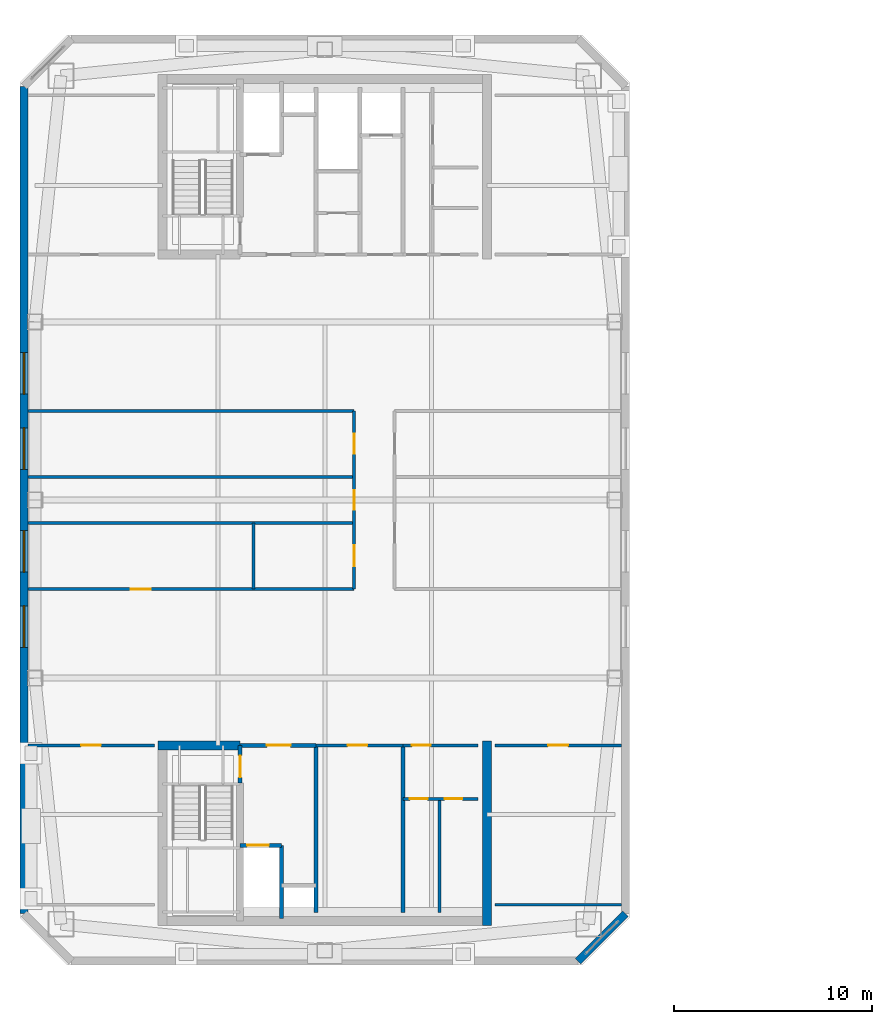
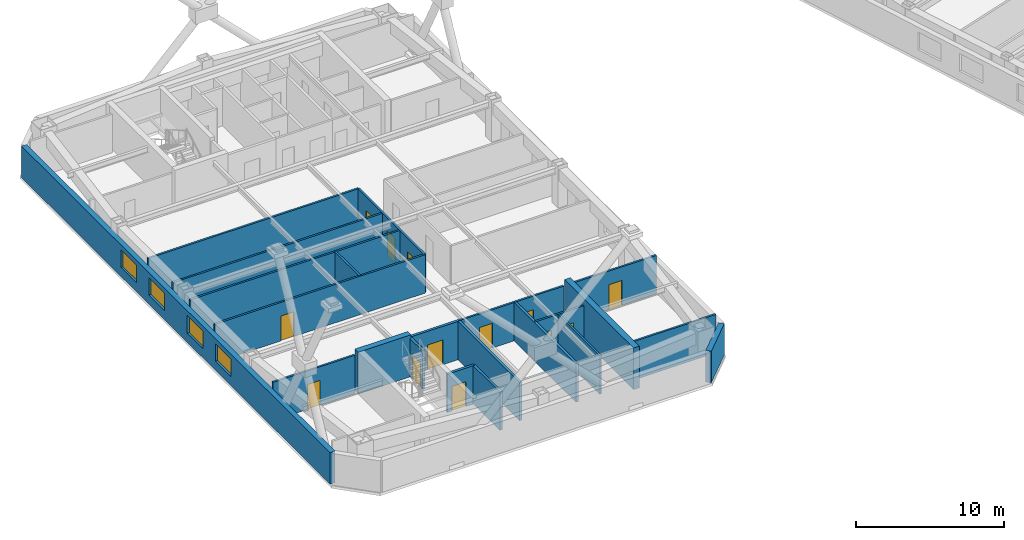
# One storey, part 13 of 20: 23 walls, 13 doors, 4 windows, 17 openings.
"""IFC4 building model written with IfcOpenShell, lengths in metres."""

from ifc_helpers import new_model, si_unit, direction, frame, frame_2d, origin, place, context, subcontext, project, spatial, rectangle, extrude, material, layer, layer_set, type_object, element, fill, save


model = new_model("IFC4")

# Units and contexts
model_context = context("Model", 3, precision=1e-05, world=origin(), true_north=direction((0.0, 1.0)))
body_context = subcontext(model_context, "Body", "Model", "MODEL_VIEW")
ifc_project = project(units=[si_unit("LENGTHUNIT", "METRE"), si_unit("AREAUNIT", "SQUARE_METRE"), si_unit("VOLUMEUNIT", "CUBIC_METRE"), si_unit("PLANEANGLEUNIT", "RADIAN"), si_unit("MASSUNIT", "GRAM", prefix="KILO")], contexts=[model_context])

# Site, building, storey
site_placement = place(None, origin())
site = spatial("IfcSite", under=ifc_project, at=site_placement, CompositionType="ELEMENT")
building_placement = place(site_placement, origin())
building = spatial("IfcBuilding", under=site, at=building_placement, Name="Qiaolan Cultural Towers", CompositionType="ELEMENT")
storey_placement = place(building_placement, frame((0.0, 0.0, 223.10009765625)))
storey = spatial("IfcBuildingStorey", under=building, at=storey_placement, Name="L60", CompositionType="ELEMENT", Elevation=223.10009765625)

# Walls
ifc_material_1 = material(Name="Concrete C50", Category="concrete")
ifc_layer_1 = layer(ifc_material_1, 0.449951171875)
ifc_layer_set_1 = layer_set([ifc_layer_1], Name="Concrete C50")
wall_type_1 = type_object("IfcWallType", Name="WL-CORE-450", PredefinedType="SHEAR", material=ifc_layer_set_1)
wall_1_placement = place(storey_placement, frame((38.199951171875, 21.824951171875, 0.0), z_axis=(0.0, 0.0, 1.0), x_axis=(0.0, -1.0, 0.0)))
element("IfcWall", 1, at=wall_1_placement, inside=storey, type_object=wall_type_1, Name="L60 T1-CS East Core Shear Wall", PredefinedType="SHEAR", context=body_context, shape_type="SweptSolid", body=[
    extrude(rectangle(XDim=9.329833984375, YDim=0.449951171875, at=frame_2d((4.6650390625, 0.0))), origin(), (0.0, 0.0, 1.0), 3.449951171875),
])
wall_2_placement = place(storey_placement, frame((21.574951171875, 21.60009765625, 0.0), z_axis=(0.0, 0.0, 1.0), x_axis=(1.0, 0.0, 0.0)))
element("IfcWall", 2, at=wall_2_placement, inside=storey, type_object=wall_type_1, Name="L60 T1-CS Stair Front Shear Wall", PredefinedType="SHEAR", context=body_context, shape_type="SweptSolid", body=[
    extrude(rectangle(XDim=4.14501953125, YDim=0.449951171875, at=frame_2d((2.072509765625, 0.0))), origin(), (0.0, 0.0, 1.0), 3.449951171875),
])

# Wall, openings, windows
ifc_material_2 = material(Name="Precast Concrete C50 Honed Stone Pier", Category="masonry")
ifc_layer_2 = layer(ifc_material_2, 0.39990234375)
ifc_layer_set_2 = layer_set([ifc_layer_2], Name="Precast Concrete C50 Honed Stone Pier")
wall_type_2 = type_object("IfcWallType", Name="WL-EXT-PIER-400", PredefinedType="SOLIDWALL", material=ifc_layer_set_2)
wall_3_placement = place(storey_placement, frame((14.800048828125, 13.10009765625, 0.0), z_axis=(0.0, 0.0, 1.0), x_axis=(0.0, 1.0, 0.0)))
wall_3 = element("IfcWall", 3, at=wall_3_placement, inside=storey, type_object=wall_type_2, Name="L60 West Tower Precast Pier Facade Wall F1", PredefinedType="SOLIDWALL", context=body_context, shape_type="SweptSolid", body=[
    extrude(rectangle(XDim=41.7998046875, YDim=0.39990234375, at=frame_2d((20.89990234375, 0.0))), origin(), (0.0, 0.0, 1.0), 2.60986328125),
])
opening_1_placement = place(wall_3_placement, frame((13.449951171875, 0.0, 0.75)))
opening_1 = element("IfcOpeningElement", 4, at=opening_1_placement, cuts=wall_3, Name="Opening W-05", PredefinedType="OPENING", context=body_context, shape_type="SweptSolid", body=[
    extrude(rectangle(XDim=2.10009765625, YDim=1.4599609375, at=frame_2d((1.050048828125, 0.72998046875))), frame((0.0, 0.2099609375, 0.0), z_axis=(0.0, -1.0, 0.0), x_axis=(1.0, 0.0, 0.0)), (0.0, 0.0, 1.0), 0.419921875),
])
opening_2_placement = place(wall_3_placement, frame((17.25, 0.0, 0.75)))
opening_2 = element("IfcOpeningElement", 5, at=opening_2_placement, cuts=wall_3, Name="Opening W-05", PredefinedType="OPENING", context=body_context, shape_type="SweptSolid", body=[
    extrude(rectangle(XDim=2.10009765625, YDim=1.4599609375, at=frame_2d((1.050048828125, 0.72998046875))), frame((0.0, 0.2099609375, 0.0), z_axis=(0.0, -1.0, 0.0), x_axis=(1.0, 0.0, 0.0)), (0.0, 0.0, 1.0), 0.419921875),
])
opening_3_placement = place(wall_3_placement, frame((22.449951171875, 0.0, 0.75)))
opening_3 = element("IfcOpeningElement", 6, at=opening_3_placement, cuts=wall_3, Name="Opening W-05", PredefinedType="OPENING", context=body_context, shape_type="SweptSolid", body=[
    extrude(rectangle(XDim=2.10009765625, YDim=1.4599609375, at=frame_2d((1.050048828125, 0.72998046875))), frame((0.0, 0.2099609375, 0.0), z_axis=(0.0, -1.0, 0.0), x_axis=(1.0, 0.0, 0.0)), (0.0, 0.0, 1.0), 0.419921875),
])
opening_4_placement = place(wall_3_placement, frame((26.25, 0.0, 0.75)))
opening_4 = element("IfcOpeningElement", 7, at=opening_4_placement, cuts=wall_3, Name="Opening W-05", PredefinedType="OPENING", context=body_context, shape_type="SweptSolid", body=[
    extrude(rectangle(XDim=2.10009765625, YDim=1.4599609375, at=frame_2d((1.050048828125, 0.72998046875))), frame((0.0, 0.2099609375, 0.0), z_axis=(0.0, -1.0, 0.0), x_axis=(1.0, 0.0, 0.0)), (0.0, 0.0, 1.0), 0.419921875),
])
ifc_material_3 = material(Name="Thermally Broken Aluminium Triple Low-E Glazing", Category="aluminium")
window_type = type_object("IfcWindowType", Name="WN-CHIC-2100", PartitioningType="SINGLE_PANEL", PredefinedType="WINDOW", material=ifc_material_3)
window_1_placement = place(opening_1_placement, origin())
window_1 = element("IfcWindow", 8, at=window_1_placement, inside=storey, type_object=window_type, Name="L60 T1 W Chicago Bay Window 1", OverallHeight=1.4599609375, OverallWidth=2.10009765625, PartitioningType="TRIPLE_PANEL_VERTICAL", PredefinedType="WINDOW", context=body_context, shape_type="SweptSolid", body=[
    extrude(rectangle(XDim=2.10009765625, YDim=1.4599609375, at=frame_2d((1.050048828125, 0.72998046875))), frame((0.0, 0.030029296875, 0.0), z_axis=(0.0, -1.0, 0.0), x_axis=(1.0, 0.0, 0.0)), (0.0, 0.0, 1.0), 0.06005859375),
])
fill(opening_1, window_1)
window_2_placement = place(opening_2_placement, origin())
window_2 = element("IfcWindow", 9, at=window_2_placement, inside=storey, type_object=window_type, Name="L60 T1 W Chicago Bay Window 2", OverallHeight=1.4599609375, OverallWidth=2.10009765625, PartitioningType="TRIPLE_PANEL_VERTICAL", PredefinedType="WINDOW", context=body_context, shape_type="SweptSolid", body=[
    extrude(rectangle(XDim=2.10009765625, YDim=1.4599609375, at=frame_2d((1.050048828125, 0.72998046875))), frame((0.0, 0.030029296875, 0.0), z_axis=(0.0, -1.0, 0.0), x_axis=(1.0, 0.0, 0.0)), (0.0, 0.0, 1.0), 0.06005859375),
])
fill(opening_2, window_2)
window_3_placement = place(opening_3_placement, origin())
window_3 = element("IfcWindow", 10, at=window_3_placement, inside=storey, type_object=window_type, Name="L60 T1 W Chicago Bay Window 3", OverallHeight=1.4599609375, OverallWidth=2.10009765625, PartitioningType="TRIPLE_PANEL_VERTICAL", PredefinedType="WINDOW", context=body_context, shape_type="SweptSolid", body=[
    extrude(rectangle(XDim=2.10009765625, YDim=1.4599609375, at=frame_2d((1.050048828125, 0.72998046875))), frame((0.0, 0.030029296875, 0.0), z_axis=(0.0, -1.0, 0.0), x_axis=(1.0, 0.0, 0.0)), (0.0, 0.0, 1.0), 0.06005859375),
])
fill(opening_3, window_3)
window_4_placement = place(opening_4_placement, origin())
window_4 = element("IfcWindow", 11, at=window_4_placement, inside=storey, type_object=window_type, Name="L60 T1 W Chicago Bay Window 4", OverallHeight=1.4599609375, OverallWidth=2.10009765625, PartitioningType="TRIPLE_PANEL_VERTICAL", PredefinedType="WINDOW", context=body_context, shape_type="SweptSolid", body=[
    extrude(rectangle(XDim=2.10009765625, YDim=1.4599609375, at=frame_2d((1.050048828125, 0.72998046875))), frame((0.0, 0.030029296875, 0.0), z_axis=(0.0, -1.0, 0.0), x_axis=(1.0, 0.0, 0.0)), (0.0, 0.0, 1.0), 0.06005859375),
])
fill(opening_4, window_4)

# Wall
wall_4_placement = place(storey_placement, frame((45.199951171875, 13.10009765625, 0.0), z_axis=(0.0, 0.0, 1.0), x_axis=(-0.707070815327, -0.707142745217, 0.0)))
element("IfcWall", 12, at=wall_4_placement, inside=storey, type_object=wall_type_2, Name="L60 West Tower Precast Pier Facade Wall F6", PredefinedType="SOLIDWALL", context=body_context, shape_type="SweptSolid", body=[
    extrude(rectangle(XDim=3.39404296875, YDim=0.39990234375, at=frame_2d((1.697021484375, 0.0))), origin(), (0.0, 0.0, 1.0), 2.60986328125),
])

# Wall, opening, door
ifc_material_4 = material(Name="Concrete C35 Fire Wall", Category="concrete")
ifc_layer_3 = layer(ifc_material_4, 0.199951171875)
ifc_layer_set_3 = layer_set([ifc_layer_3], Name="Concrete C35 Fire Wall")
wall_type_3 = type_object("IfcWallType", Name="WL-FIRE-200", PredefinedType="PARTITIONING", material=ifc_layer_set_3)
wall_5_placement = place(storey_placement, frame((25.719970703125, 21.60009765625, 0.0), z_axis=(0.0, 0.0, 1.0), x_axis=(0.0, -1.0, 0.0)))
wall_5 = element("IfcWall", 13, at=wall_5_placement, inside=storey, type_object=wall_type_3, Name="L60 T1-CS Smokeproof Stair Entry Wall", PredefinedType="PARTITIONING", context=body_context, shape_type="SweptSolid", body=[
    extrude(rectangle(XDim=1.900146484375, YDim=0.199951171875, at=frame_2d((0.9501953125, 0.0))), origin(), (0.0, 0.0, 1.0), 3.1748046875),
])
opening_5_placement = place(wall_5_placement, frame((0.52001953125, 0.0, 0.0)))
opening_5 = element("IfcOpeningElement", 14, at=opening_5_placement, cuts=wall_5, Name="Opening FD-04", PredefinedType="OPENING", context=body_context, shape_type="SweptSolid", body=[
    extrude(rectangle(XDim=1.10009765625, YDim=2.050048828125, at=frame_2d((0.550048828125, 1.02490234375))), frame((0.0, 0.10986328125, 0.0), z_axis=(0.0, -1.0, 0.0), x_axis=(1.0, 0.0, 0.0)), (0.0, 0.0, 1.0), 0.219970703125),
])
ifc_material_5 = material(Name="Galvanized Steel Command Fire Door", Category="steel")
door_type_1 = type_object("IfcDoorType", Name="DR-FD90-1100", OperationType="NOTDEFINED", PredefinedType="DOOR", material=ifc_material_5)
door_1_placement = place(opening_5_placement, origin())
door_1 = element("IfcDoor", 15, at=door_1_placement, inside=storey, type_object=door_type_1, Name="L60 ST-W1 Smokeproof Stair Fire Door", OperationType="SINGLE_SWING_LEFT", OverallHeight=2.050048828125, OverallWidth=1.10009765625, PredefinedType="DOOR", context=body_context, shape_type="SweptSolid", body=[
    extrude(rectangle(XDim=1.10009765625, YDim=2.050048828125, at=frame_2d((0.550048828125, 1.02490234375))), frame((0.0, 0.02490234375, 0.0), z_axis=(0.0, -1.0, 0.0), x_axis=(1.0, 0.0, 0.0)), (0.0, 0.0, 1.0), 0.050048828125),
])
fill(opening_5, door_1)

# Wall
wall_6_placement = place(storey_placement, frame((29.550048828125, 21.60009765625, 0.0), z_axis=(0.0, 0.0, 1.0), x_axis=(0.0, -1.0, 0.0)))
element("IfcWall", 16, at=wall_6_placement, inside=storey, type_object=wall_type_3, Name="L60 T1-CS Firefighting Zone Wall", PredefinedType="PARTITIONING", context=body_context, shape_type="SweptSolid", body=[
    extrude(rectangle(XDim=8.43017578125, YDim=0.199951171875, at=frame_2d((4.215087890625, 0.0))), origin(), (0.0, 0.0, 1.0), 3.1748046875),
])

# Wall, opening, door
wall_7_placement = place(storey_placement, frame((25.719970703125, 21.60009765625, 0.0), z_axis=(0.0, 0.0, 1.0), x_axis=(1.0, 0.0, 0.0)))
wall_7 = element("IfcWall", 17, at=wall_7_placement, inside=storey, type_object=wall_type_3, Name="L60 T1-CS Firefighting Lobby Front Wall", PredefinedType="PARTITIONING", context=body_context, shape_type="SweptSolid", body=[
    extrude(rectangle(XDim=3.830078125, YDim=0.199951171875, at=frame_2d((1.9150390625, 0.0))), origin(), (0.0, 0.0, 1.0), 3.1748046875),
])
opening_6_placement = place(wall_7_placement, frame((1.35009765625, 0.0, 0.0)))
opening_6 = element("IfcOpeningElement", 18, at=opening_6_placement, cuts=wall_7, Name="Opening FD-03", PredefinedType="OPENING", context=body_context, shape_type="SweptSolid", body=[
    extrude(rectangle(XDim=1.199951171875, YDim=2.050048828125, at=frame_2d((0.60009765625, 1.02490234375))), frame((0.0, 0.10986328125, 0.0), z_axis=(0.0, -1.0, 0.0), x_axis=(1.0, 0.0, 0.0)), (0.0, 0.0, 1.0), 0.219970703125),
])
ifc_material_6 = material(Name="Galvanized Steel Smokeproof Lobby Fire Door", Category="steel")
door_type_2 = type_object("IfcDoorType", Name="DR-FD90-1200", OperationType="NOTDEFINED", PredefinedType="DOOR", material=ifc_material_6)
door_2_placement = place(opening_6_placement, origin())
door_2 = element("IfcDoor", 19, at=door_2_placement, inside=storey, type_object=door_type_2, Name="L60 FFL-W1 Firefighting Lobby Fire Door", OperationType="SINGLE_SWING_LEFT", OverallHeight=2.050048828125, OverallWidth=1.199951171875, PredefinedType="DOOR", context=body_context, shape_type="SweptSolid", body=[
    extrude(rectangle(XDim=1.199951171875, YDim=2.050048828125, at=frame_2d((0.60009765625, 1.02490234375))), frame((0.0, 0.02490234375, 0.0), z_axis=(0.0, -1.0, 0.0), x_axis=(1.0, 0.0, 0.0)), (0.0, 0.0, 1.0), 0.050048828125),
])
fill(opening_6, door_2)

wall_8_placement = place(storey_placement, frame((25.719970703125, 16.550048828125, 0.0), z_axis=(0.0, 0.0, 1.0), x_axis=(1.0, 0.0, 0.0)))
wall_8 = element("IfcWall", 20, at=wall_8_placement, inside=storey, type_object=wall_type_3, Name="L60 T1-CS Firefighting Shaft Front Wall", PredefinedType="PARTITIONING", context=body_context, shape_type="SweptSolid", body=[
    extrude(rectangle(XDim=2.10009765625, YDim=0.199951171875, at=frame_2d((1.050048828125, 0.0))), origin(), (0.0, 0.0, 1.0), 3.1748046875),
])
opening_7_placement = place(wall_8_placement, frame((0.35009765625, 0.0, 0.0)))
opening_7 = element("IfcOpeningElement", 21, at=opening_7_placement, cuts=wall_8, Name="Opening LD-01", PredefinedType="OPENING", context=body_context, shape_type="SweptSolid", body=[
    extrude(rectangle(XDim=1.10009765625, YDim=2.050048828125, at=frame_2d((0.550048828125, 1.02490234375))), frame((0.0, 0.10986328125, 0.0), z_axis=(0.0, -1.0, 0.0), x_axis=(1.0, 0.0, 0.0)), (0.0, 0.0, 1.0), 0.219970703125),
])
ifc_material_7 = material(Name="Brushed Stainless Steel S30408 Centre-Parting Lift Landing Door", Category="steel")
door_type_3 = type_object("IfcDoorType", Name="DR-LIFT-1100", OperationType="NOTDEFINED", PredefinedType="DOOR", material=ifc_material_7)
door_3_placement = place(opening_7_placement, origin())
door_3 = element("IfcDoor", 22, at=door_3_placement, inside=storey, type_object=door_type_3, Name="L60 FFL-W1 Firefighting Lift Landing Door", OperationType="DOUBLE_DOOR_SLIDING", OverallHeight=2.050048828125, OverallWidth=1.10009765625, PredefinedType="DOOR", context=body_context, shape_type="SweptSolid", body=[
    extrude(rectangle(XDim=1.10009765625, YDim=2.050048828125, at=frame_2d((0.550048828125, 1.02490234375))), frame((0.0, 0.02490234375, 0.0), z_axis=(0.0, -1.0, 0.0), x_axis=(1.0, 0.0, 0.0)), (0.0, 0.0, 1.0), 0.050048828125),
])
fill(opening_7, door_3)

# Walls
wall_9_placement = place(storey_placement, frame((27.820068359375, 16.550048828125, 0.0), z_axis=(0.0, 0.0, 1.0), x_axis=(0.0, -1.0, 0.0)))
element("IfcWall", 23, at=wall_9_placement, inside=storey, type_object=wall_type_3, Name="L60 T1-CS Firefighting Hoistway East Wall", PredefinedType="PARTITIONING", context=body_context, shape_type="SweptSolid", body=[
    extrude(rectangle(XDim=3.699951171875, YDim=0.199951171875, at=frame_2d((1.85009765625, 0.0))), origin(), (0.0, 0.0, 1.0), 3.1748046875),
])
wall_10_placement = place(storey_placement, frame((33.949951171875, 21.60009765625, 0.0), z_axis=(0.0, 0.0, 1.0), x_axis=(0.0, -1.0, 0.0)))
element("IfcWall", 24, at=wall_10_placement, inside=storey, type_object=wall_type_3, Name="L60 T1-CS Lift Core East Wall", PredefinedType="PARTITIONING", context=body_context, shape_type="SweptSolid", body=[
    extrude(rectangle(XDim=8.43017578125, YDim=0.199951171875, at=frame_2d((4.215087890625, 0.0))), origin(), (0.0, 0.0, 1.0), 3.1748046875),
])

# Wall, opening, door
ifc_material_8 = material(Name="Autoclaved Aerated Concrete Block B06", Category="concrete")
ifc_layer_4 = layer(ifc_material_8, 0.14990234375)
ifc_layer_set_4 = layer_set([ifc_layer_4], Name="Autoclaved Aerated Concrete Block B06")
wall_type_4 = type_object("IfcWallType", Name="WL-PART-150", PredefinedType="PARTITIONING", material=ifc_layer_set_4)
wall_11_placement = place(storey_placement, frame((29.550048828125, 21.60009765625, 0.0), z_axis=(0.0, 0.0, 1.0), x_axis=(1.0, 0.0, 0.0)))
wall_11 = element("IfcWall", 25, at=wall_11_placement, inside=storey, type_object=wall_type_4, Name="L60 T1-CS Reclaimed Core Room Front Wall", PredefinedType="PARTITIONING", context=body_context, shape_type="SweptSolid", body=[
    extrude(rectangle(XDim=4.39990234375, YDim=0.14990234375, at=frame_2d((2.199951171875, 0.0))), origin(), (0.0, 0.0, 1.0), 3.1748046875),
])
opening_8_placement = place(wall_11_placement, frame((1.60009765625, 0.0, 0.0)))
opening_8 = element("IfcOpeningElement", 26, at=opening_8_placement, cuts=wall_11, Name="Opening ID-04", PredefinedType="OPENING", context=body_context, shape_type="SweptSolid", body=[
    extrude(rectangle(XDim=1.0, YDim=2.050048828125, at=frame_2d((0.5, 1.02490234375))), frame((0.0, 0.0849609375, 0.0), z_axis=(0.0, -1.0, 0.0), x_axis=(1.0, 0.0, 0.0)), (0.0, 0.0, 1.0), 0.169921875),
])
ifc_material_9 = material(Name="Oak Veneer Acoustic Office Door", Category="timber")
door_type_4 = type_object("IfcDoorType", Name="DR-INT-1000", OperationType="NOTDEFINED", PredefinedType="DOOR", material=ifc_material_9)
door_4_placement = place(opening_8_placement, origin())
door_4 = element("IfcDoor", 27, at=door_4_placement, inside=storey, type_object=door_type_4, Name="L60 Reclaimed Archive Room Door", OperationType="SINGLE_SWING_LEFT", OverallHeight=2.050048828125, OverallWidth=1.0, PredefinedType="DOOR", context=body_context, shape_type="SweptSolid", body=[
    extrude(rectangle(XDim=1.0, YDim=2.050048828125, at=frame_2d((0.5, 1.02490234375))), frame((0.0, 0.02490234375, 0.0), z_axis=(0.0, -1.0, 0.0), x_axis=(1.0, 0.0, 0.0)), (0.0, 0.0, 1.0), 0.050048828125),
])
fill(opening_8, door_4)

wall_12_placement = place(storey_placement, frame((33.949951171875, 21.60009765625, 0.0), z_axis=(0.0, 0.0, 1.0), x_axis=(1.0, 0.0, 0.0)))
wall_12 = element("IfcWall", 28, at=wall_12_placement, inside=storey, type_object=wall_type_4, Name="L60 T1-CS Sanitary Core Front Wall", PredefinedType="PARTITIONING", context=body_context, shape_type="SweptSolid", body=[
    extrude(rectangle(XDim=3.800048828125, YDim=0.14990234375, at=frame_2d((1.89990234375, 0.0))), origin(), (0.0, 0.0, 1.0), 3.1748046875),
])
opening_9_placement = place(wall_12_placement, frame((0.449951171875, 0.0, 0.0)))
opening_9 = element("IfcOpeningElement", 29, at=opening_9_placement, cuts=wall_12, Name="Opening ID-05", PredefinedType="OPENING", context=body_context, shape_type="SweptSolid", body=[
    extrude(rectangle(XDim=0.949951171875, YDim=2.050048828125, at=frame_2d((0.47509765625, 1.02490234375))), frame((0.0, 0.0849609375, 0.0), z_axis=(0.0, -1.0, 0.0), x_axis=(1.0, 0.0, 0.0)), (0.0, 0.0, 1.0), 0.169921875),
])
ifc_material_10 = material(Name="Fire-Rated Laminate Accessible Core Door", Category="timber")
door_type_5 = type_object("IfcDoorType", Name="DR-INT-950", OperationType="NOTDEFINED", PredefinedType="DOOR", material=ifc_material_10)
door_5_placement = place(opening_9_placement, origin())
door_5 = element("IfcDoor", 30, at=door_5_placement, inside=storey, type_object=door_type_5, Name="L60 Sanitary Vestibule Door", OperationType="SINGLE_SWING_LEFT", OverallHeight=2.050048828125, OverallWidth=0.949951171875, PredefinedType="DOOR", context=body_context, shape_type="SweptSolid", body=[
    extrude(rectangle(XDim=0.949951171875, YDim=2.050048828125, at=frame_2d((0.47509765625, 1.02490234375))), frame((0.0, 0.02490234375, 0.0), z_axis=(0.0, -1.0, 0.0), x_axis=(1.0, 0.0, 0.0)), (0.0, 0.0, 1.0), 0.050048828125),
])
fill(opening_9, door_5)

# Wall, openings, doors
wall_13_placement = place(storey_placement, frame((33.949951171875, 18.89990234375, 0.0), z_axis=(0.0, 0.0, 1.0), x_axis=(1.0, 0.0, 0.0)))
wall_13 = element("IfcWall", 31, at=wall_13_placement, inside=storey, type_object=wall_type_4, Name="L60 T1-CS Restroom Vestibule Wall", PredefinedType="PARTITIONING", context=body_context, shape_type="SweptSolid", body=[
    extrude(rectangle(XDim=3.800048828125, YDim=0.14990234375, at=frame_2d((1.89990234375, 0.0))), origin(), (0.0, 0.0, 1.0), 3.1748046875),
])
opening_10_placement = place(wall_13_placement, frame((0.35009765625, 0.0, 0.0)))
opening_10 = element("IfcOpeningElement", 32, at=opening_10_placement, cuts=wall_13, Name="Opening ID-06", PredefinedType="OPENING", context=body_context, shape_type="SweptSolid", body=[
    extrude(rectangle(XDim=0.89990234375, YDim=2.050048828125, at=frame_2d((0.449951171875, 1.02490234375))), frame((0.0, 0.0849609375, 0.0), z_axis=(0.0, -1.0, 0.0), x_axis=(1.0, 0.0, 0.0)), (0.0, 0.0, 1.0), 0.169921875),
])
opening_11_placement = place(wall_13_placement, frame((2.10009765625, 0.0, 0.0)))
opening_11 = element("IfcOpeningElement", 33, at=opening_11_placement, cuts=wall_13, Name="Opening ID-06", PredefinedType="OPENING", context=body_context, shape_type="SweptSolid", body=[
    extrude(rectangle(XDim=0.89990234375, YDim=2.050048828125, at=frame_2d((0.449951171875, 1.02490234375))), frame((0.0, 0.0849609375, 0.0), z_axis=(0.0, -1.0, 0.0), x_axis=(1.0, 0.0, 0.0)), (0.0, 0.0, 1.0), 0.169921875),
])
ifc_material_11 = material(Name="Fire-Rated Laminate Core Service Door", Category="timber")
door_type_6 = type_object("IfcDoorType", Name="DR-INT-900", OperationType="NOTDEFINED", PredefinedType="DOOR", material=ifc_material_11)
door_6_placement = place(opening_10_placement, origin())
door_6 = element("IfcDoor", 34, at=door_6_placement, inside=storey, type_object=door_type_6, Name="L60 Men Restroom Door", OperationType="SINGLE_SWING_LEFT", OverallHeight=2.050048828125, OverallWidth=0.89990234375, PredefinedType="DOOR", context=body_context, shape_type="SweptSolid", body=[
    extrude(rectangle(XDim=0.89990234375, YDim=2.050048828125, at=frame_2d((0.449951171875, 1.02490234375))), frame((0.0, 0.02490234375, 0.0), z_axis=(0.0, -1.0, 0.0), x_axis=(1.0, 0.0, 0.0)), (0.0, 0.0, 1.0), 0.050048828125),
])
fill(opening_10, door_6)
door_7_placement = place(opening_11_placement, origin())
door_7 = element("IfcDoor", 35, at=door_7_placement, inside=storey, type_object=door_type_6, Name="L60 Accessible & Women Restroom Door", OperationType="SINGLE_SWING_RIGHT", OverallHeight=2.050048828125, OverallWidth=0.89990234375, PredefinedType="DOOR", context=body_context, shape_type="SweptSolid", body=[
    extrude(rectangle(XDim=0.89990234375, YDim=2.050048828125, at=frame_2d((0.449951171875, 1.02490234375))), frame((0.0, 0.02490234375, 0.0), z_axis=(0.0, -1.0, 0.0), x_axis=(1.0, 0.0, 0.0)), (0.0, 0.0, 1.0), 0.050048828125),
])
fill(opening_11, door_7)

# Wall
wall_14_placement = place(storey_placement, frame((35.800048828125, 18.89990234375, 0.0), z_axis=(0.0, 0.0, 1.0), x_axis=(0.0, -1.0, 0.0)))
element("IfcWall", 36, at=wall_14_placement, inside=storey, type_object=wall_type_4, Name="L60 T1-CS Restroom Divider Wall", PredefinedType="PARTITIONING", context=body_context, shape_type="SweptSolid", body=[
    extrude(rectangle(XDim=5.72998046875, YDim=0.14990234375, at=frame_2d((2.864990234375, 0.0))), origin(), (0.0, 0.0, 1.0), 3.1748046875),
])

# Wall, opening, door
wall_15_placement = place(storey_placement, frame((15.0, 21.60009765625, 0.0), z_axis=(0.0, 0.0, 1.0), x_axis=(1.0, 0.0, 0.0)))
wall_15 = element("IfcWall", 37, at=wall_15_placement, inside=storey, type_object=wall_type_4, Name="L60 T1 Flank Front FLK-SW", PredefinedType="PARTITIONING", context=body_context, shape_type="SweptSolid", body=[
    extrude(rectangle(XDim=6.39990234375, YDim=0.14990234375, at=frame_2d((3.199951171875, 0.0))), origin(), (0.0, 0.0, 1.0), 3.1748046875),
])
opening_12_placement = place(wall_15_placement, frame((2.68798828125, 0.0, 0.0)))
opening_12 = element("IfcOpeningElement", 38, at=opening_12_placement, cuts=wall_15, Name="Opening ID-04", PredefinedType="OPENING", context=body_context, shape_type="SweptSolid", body=[
    extrude(rectangle(XDim=1.0, YDim=2.050048828125, at=frame_2d((0.5, 1.02490234375))), frame((0.0, 0.0849609375, 0.0), z_axis=(0.0, -1.0, 0.0), x_axis=(1.0, 0.0, 0.0)), (0.0, 0.0, 1.0), 0.169921875),
])
door_8_placement = place(opening_12_placement, origin())
door_8 = element("IfcDoor", 39, at=door_8_placement, inside=storey, type_object=door_type_4, Name="L60 T1 Corner Studio Door", OperationType="SINGLE_SWING_LEFT", OverallHeight=2.050048828125, OverallWidth=1.0, PredefinedType="DOOR", context=body_context, shape_type="SweptSolid", body=[
    extrude(rectangle(XDim=1.0, YDim=2.050048828125, at=frame_2d((0.5, 1.02490234375))), frame((0.0, 0.02490234375, 0.0), z_axis=(0.0, -1.0, 0.0), x_axis=(1.0, 0.0, 0.0)), (0.0, 0.0, 1.0), 0.050048828125),
])
fill(opening_12, door_8)

# Wall
wall_16_placement = place(storey_placement, frame((38.60009765625, 13.550048828125, 0.0), z_axis=(0.0, 0.0, 1.0), x_axis=(1.0, 0.0, 0.0)))
element("IfcWall", 40, at=wall_16_placement, inside=storey, type_object=wall_type_4, Name="L60 T1 Flank Wall FLK-SE", PredefinedType="PARTITIONING", context=body_context, shape_type="SweptSolid", body=[
    extrude(rectangle(XDim=6.39990234375, YDim=0.14990234375, at=frame_2d((3.199951171875, 0.0))), origin(), (0.0, 0.0, 1.0), 3.1748046875),
])

# Wall, opening, door
wall_17_placement = place(storey_placement, frame((38.60009765625, 21.60009765625, 0.0), z_axis=(0.0, 0.0, 1.0), x_axis=(1.0, 0.0, 0.0)))
wall_17 = element("IfcWall", 41, at=wall_17_placement, inside=storey, type_object=wall_type_4, Name="L60 T1 Flank Front FLK-SE", PredefinedType="PARTITIONING", context=body_context, shape_type="SweptSolid", body=[
    extrude(rectangle(XDim=6.39990234375, YDim=0.14990234375, at=frame_2d((3.199951171875, 0.0))), origin(), (0.0, 0.0, 1.0), 3.1748046875),
])
opening_13_placement = place(wall_17_placement, frame((2.68798828125, 0.0, 0.0)))
opening_13 = element("IfcOpeningElement", 42, at=opening_13_placement, cuts=wall_17, Name="Opening ID-04", PredefinedType="OPENING", context=body_context, shape_type="SweptSolid", body=[
    extrude(rectangle(XDim=1.0, YDim=2.050048828125, at=frame_2d((0.5, 1.02490234375))), frame((0.0, 0.0849609375, 0.0), z_axis=(0.0, -1.0, 0.0), x_axis=(1.0, 0.0, 0.0)), (0.0, 0.0, 1.0), 0.169921875),
])
door_9_placement = place(opening_13_placement, origin())
door_9 = element("IfcDoor", 43, at=door_9_placement, inside=storey, type_object=door_type_4, Name="L60 T1 Corner Studio Door", OperationType="SINGLE_SWING_LEFT", OverallHeight=2.050048828125, OverallWidth=1.0, PredefinedType="DOOR", context=body_context, shape_type="SweptSolid", body=[
    extrude(rectangle(XDim=1.0, YDim=2.050048828125, at=frame_2d((0.5, 1.02490234375))), frame((0.0, 0.02490234375, 0.0), z_axis=(0.0, -1.0, 0.0), x_axis=(1.0, 0.0, 0.0)), (0.0, 0.0, 1.0), 0.050048828125),
])
fill(opening_13, door_9)

wall_18_placement = place(storey_placement, frame((15.0, 29.5, 0.0), z_axis=(0.0, 0.0, 1.0), x_axis=(1.0, 0.0, 0.0)))
wall_18 = element("IfcWall", 44, at=wall_18_placement, inside=storey, type_object=wall_type_4, Name="L60 T1 South Foyer West Wall", PredefinedType="PARTITIONING", context=body_context, shape_type="SweptSolid", body=[
    extrude(rectangle(XDim=16.47509765625, YDim=0.14990234375, at=frame_2d((8.237548828125, 0.0))), origin(), (0.0, 0.0, 1.0), 3.1748046875),
])
opening_14_placement = place(wall_18_placement, frame((5.199951171875, 0.0, 0.0)))
opening_14 = element("IfcOpeningElement", 45, at=opening_14_placement, cuts=wall_18, Name="Opening ID-04", PredefinedType="OPENING", context=body_context, shape_type="SweptSolid", body=[
    extrude(rectangle(XDim=1.0, YDim=2.050048828125, at=frame_2d((0.5, 1.02490234375))), frame((0.0, 0.0849609375, 0.0), z_axis=(0.0, -1.0, 0.0), x_axis=(1.0, 0.0, 0.0)), (0.0, 0.0, 1.0), 0.169921875),
])
door_10_placement = place(opening_14_placement, origin())
door_10 = element("IfcDoor", 46, at=door_10_placement, inside=storey, type_object=door_type_4, Name="L60 T1 Executive Tower Office Door", OperationType="SINGLE_SWING_LEFT", OverallHeight=2.050048828125, OverallWidth=1.0, PredefinedType="DOOR", context=body_context, shape_type="SweptSolid", body=[
    extrude(rectangle(XDim=1.0, YDim=2.050048828125, at=frame_2d((0.5, 1.02490234375))), frame((0.0, 0.02490234375, 0.0), z_axis=(0.0, -1.0, 0.0), x_axis=(1.0, 0.0, 0.0)), (0.0, 0.0, 1.0), 0.050048828125),
])
fill(opening_14, door_10)

# Wall
wall_19_placement = place(storey_placement, frame((15.0, 38.5, 0.0), z_axis=(0.0, 0.0, 1.0), x_axis=(1.0, 0.0, 0.0)))
element("IfcWall", 47, at=wall_19_placement, inside=storey, type_object=wall_type_4, Name="L60 T1 North Foyer West Wall", PredefinedType="PARTITIONING", context=body_context, shape_type="SweptSolid", body=[
    extrude(rectangle(XDim=16.47509765625, YDim=0.14990234375, at=frame_2d((8.237548828125, 0.0))), origin(), (0.0, 0.0, 1.0), 3.1748046875),
])

# Wall, openings, doors
wall_20_placement = place(storey_placement, frame((31.47509765625, 29.5, 0.0), z_axis=(0.0, 0.0, 1.0), x_axis=(0.0, 1.0, 0.0)))
wall_20 = element("IfcWall", 48, at=wall_20_placement, inside=storey, type_object=wall_type_4, Name="L60 T1 Central Spine West Wall", PredefinedType="PARTITIONING", context=body_context, shape_type="SweptSolid", body=[
    extrude(rectangle(XDim=9.0, YDim=0.14990234375, at=frame_2d((4.5, 0.0))), origin(), (0.0, 0.0, 1.0), 3.1748046875),
])
opening_15_placement = place(wall_20_placement, frame((1.1650390625, 0.0, 0.0)))
opening_15 = element("IfcOpeningElement", 49, at=opening_15_placement, cuts=wall_20, Name="Opening ID-07", PredefinedType="OPENING", context=body_context, shape_type="SweptSolid", body=[
    extrude(rectangle(XDim=1.050048828125, YDim=2.050048828125, at=frame_2d((0.52490234375, 1.02490234375))), frame((0.0, 0.0849609375, 0.0), z_axis=(0.0, -1.0, 0.0), x_axis=(1.0, 0.0, 0.0)), (0.0, 0.0, 1.0), 0.169921875),
])
opening_16_placement = place(wall_20_placement, frame((4.0, 0.0, 0.0)))
opening_16 = element("IfcOpeningElement", 50, at=opening_16_placement, cuts=wall_20, Name="Opening ID-04", PredefinedType="OPENING", context=body_context, shape_type="SweptSolid", body=[
    extrude(rectangle(XDim=1.0, YDim=2.050048828125, at=frame_2d((0.5, 1.02490234375))), frame((0.0, 0.0849609375, 0.0), z_axis=(0.0, -1.0, 0.0), x_axis=(1.0, 0.0, 0.0)), (0.0, 0.0, 1.0), 0.169921875),
])
opening_17_placement = place(wall_20_placement, frame((6.8349609375, 0.0, 0.0)))
opening_17 = element("IfcOpeningElement", 51, at=opening_17_placement, cuts=wall_20, Name="Opening ID-04", PredefinedType="OPENING", context=body_context, shape_type="SweptSolid", body=[
    extrude(rectangle(XDim=1.0, YDim=2.050048828125, at=frame_2d((0.5, 1.02490234375))), frame((0.0, 0.0849609375, 0.0), z_axis=(0.0, -1.0, 0.0), x_axis=(1.0, 0.0, 0.0)), (0.0, 0.0, 1.0), 0.169921875),
])
door_11_placement = place(opening_16_placement, origin())
door_11 = element("IfcDoor", 52, at=door_11_placement, inside=storey, type_object=door_type_4, Name="L60 T1 Executive Tower Office Door", OperationType="SINGLE_SWING_RIGHT", OverallHeight=2.050048828125, OverallWidth=1.0, PredefinedType="DOOR", context=body_context, shape_type="SweptSolid", body=[
    extrude(rectangle(XDim=1.0, YDim=2.050048828125, at=frame_2d((0.5, 1.02490234375))), frame((0.0, 0.02490234375, 0.0), z_axis=(0.0, -1.0, 0.0), x_axis=(1.0, 0.0, 0.0)), (0.0, 0.0, 1.0), 0.050048828125),
])
fill(opening_16, door_11)
door_12_placement = place(opening_17_placement, origin())
door_12 = element("IfcDoor", 53, at=door_12_placement, inside=storey, type_object=door_type_4, Name="L60 T1 Director Office Door", OperationType="SINGLE_SWING_LEFT", OverallHeight=2.050048828125, OverallWidth=1.0, PredefinedType="DOOR", context=body_context, shape_type="SweptSolid", body=[
    extrude(rectangle(XDim=1.0, YDim=2.050048828125, at=frame_2d((0.5, 1.02490234375))), frame((0.0, 0.02490234375, 0.0), z_axis=(0.0, -1.0, 0.0), x_axis=(1.0, 0.0, 0.0)), (0.0, 0.0, 1.0), 0.050048828125),
])
fill(opening_17, door_12)
ifc_material_12 = material(Name="Oak Veneer Consultation Door", Category="timber")
door_type_7 = type_object("IfcDoorType", Name="DR-INT-1050", OperationType="NOTDEFINED", PredefinedType="DOOR", material=ifc_material_12)
door_13_placement = place(opening_15_placement, origin())
door_13 = element("IfcDoor", 54, at=door_13_placement, inside=storey, type_object=door_type_7, Name="L60 T1 Executive Tower Office Door", OperationType="SINGLE_SWING_RIGHT", OverallHeight=2.050048828125, OverallWidth=1.050048828125, PredefinedType="DOOR", context=body_context, shape_type="SweptSolid", body=[
    extrude(rectangle(XDim=1.050048828125, YDim=2.050048828125, at=frame_2d((0.52490234375, 1.02490234375))), frame((0.0, 0.02490234375, 0.0), z_axis=(0.0, -1.0, 0.0), x_axis=(1.0, 0.0, 0.0)), (0.0, 0.0, 1.0), 0.050048828125),
])
fill(opening_15, door_13)

# Walls
wall_21_placement = place(storey_placement, frame((26.39990234375, 29.5, 0.0), z_axis=(0.0, 0.0, 1.0), x_axis=(0.0, 1.0, 0.0)))
element("IfcWall", 55, at=wall_21_placement, inside=storey, type_object=wall_type_4, Name="L60 T1 Interior Wall", PredefinedType="PARTITIONING", context=body_context, shape_type="SweptSolid", body=[
    extrude(rectangle(XDim=3.330078125, YDim=0.14990234375, at=frame_2d((1.6650390625, 0.0))), origin(), (0.0, 0.0, 1.0), 3.1748046875),
])
for number, where, z_axis, x_axis, name in (
    (56, (15.0, 32.830078125, 0.0), (0.0, 0.0, 1.0), (1.0, 0.0, 0.0), "L60 T1 Interior Wall"),
    (57, (15.0, 35.169921875, 0.0), (0.0, 0.0, 1.0), (1.0, 0.0, 0.0), "L60 T1 Interior Wall"),
):
    element("IfcWall", number, at=place(storey_placement, frame(where, z_axis=z_axis, x_axis=x_axis)), inside=storey, type_object=wall_type_4, Name=name, PredefinedType="PARTITIONING", context=body_context, shape_type="SweptSolid", body=[
        extrude(rectangle(XDim=16.47509765625, YDim=0.14990234375, at=frame_2d((8.237548828125, 0.0))), origin(), (0.0, 0.0, 1.0), 3.1748046875),
    ])

save(model, "model.ifc")
